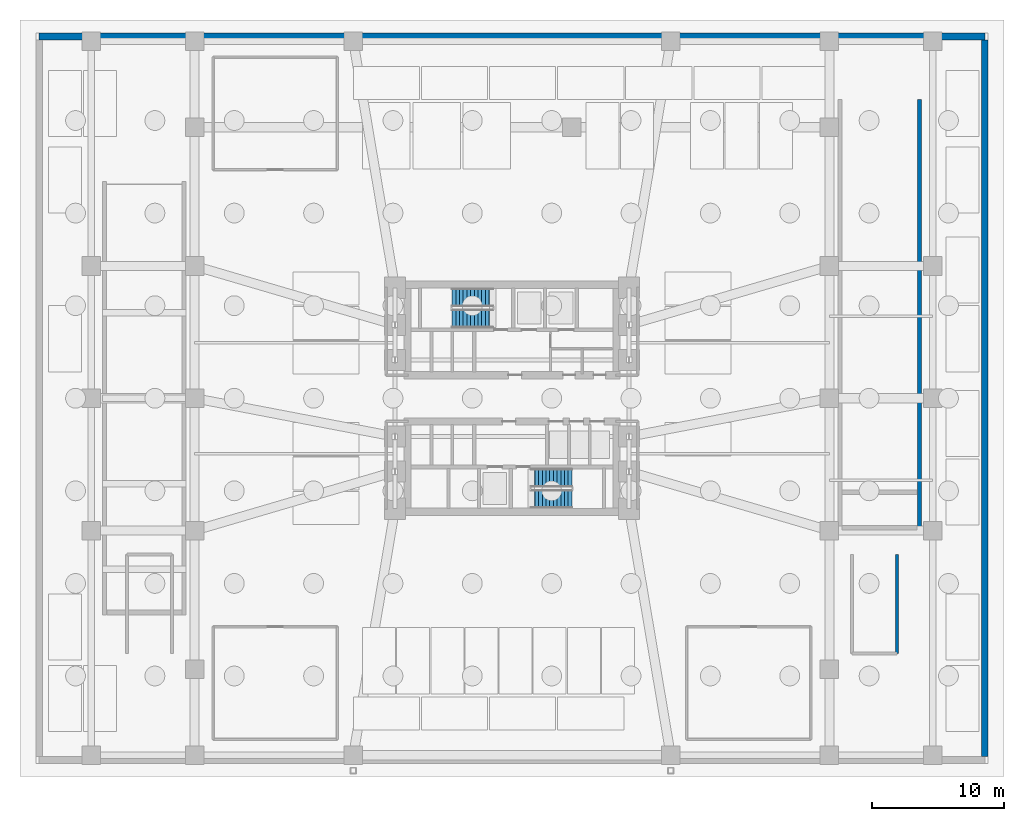
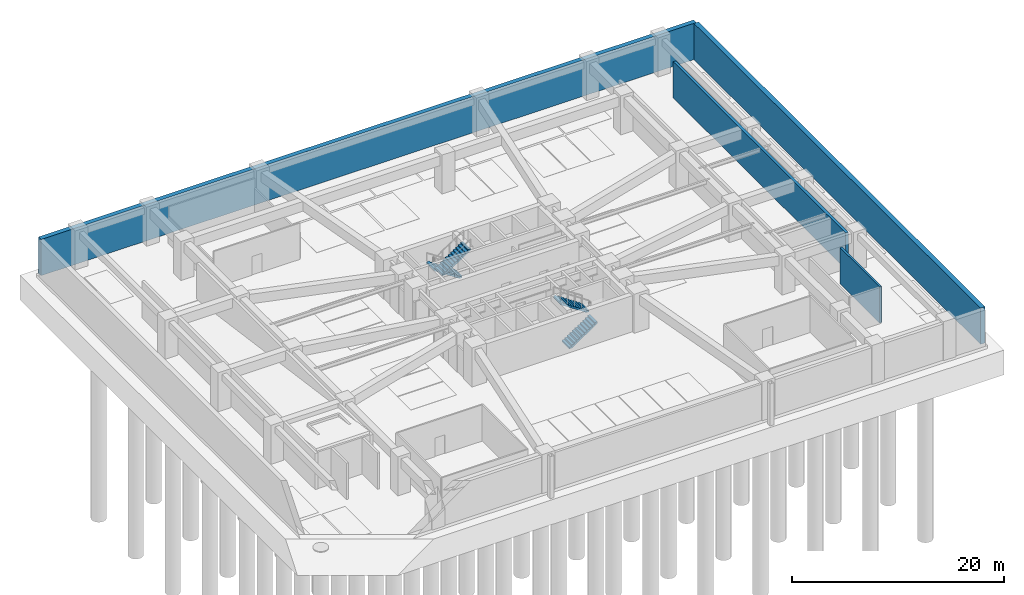
# One storey, part 8 of 14: 4 stair flights, 4 walls, 2 elements without a shape of their own.
"""IFC4 building model written with IfcOpenShell, lengths in metres."""

from ifc_helpers import new_model, si_unit, direction, frame, frame_2d, origin, place, context, subcontext, project, spatial, polyline, rectangle, outline, extrude, material, layer, layer_set, type_object, element, aggregate, save


model = new_model("IFC4")

# Units and contexts
model_context = context("Model", 3, precision=1e-05, world=origin(), true_north=direction((0.0, 1.0)))
body_context = subcontext(model_context, "Body", "Model", "MODEL_VIEW")
ifc_project = project(units=[si_unit("LENGTHUNIT", "METRE"), si_unit("AREAUNIT", "SQUARE_METRE"), si_unit("VOLUMEUNIT", "CUBIC_METRE"), si_unit("PLANEANGLEUNIT", "RADIAN"), si_unit("MASSUNIT", "GRAM", prefix="KILO")], contexts=[model_context])

# Site, building, storey
site_placement = place(None, origin())
site = spatial("IfcSite", under=ifc_project, at=site_placement, CompositionType="ELEMENT")
building_placement = place(site_placement, origin())
building = spatial("IfcBuilding", under=site, at=building_placement, Name="Solmarez Civic Tower", CompositionType="ELEMENT")
storey_placement = place(building_placement, frame((0.0, 0.0, -9.0)))
storey = spatial("IfcBuildingStorey", under=building, at=storey_placement, Name="B2", CompositionType="ELEMENT", Elevation=-9.0)

# Walls
ifc_material = material(Name="Concrete C50/60", Category="concrete")
ifc_layer_1 = layer(ifc_material, 0.5)
ifc_layer_set_1 = layer_set([ifc_layer_1], Name="Concrete C50/60")
wall_type_1 = type_object("IfcWallType", Name="WALL-RET-500", PredefinedType="USERDEFINED", material=ifc_layer_set_1)
wall_1_placement = place(storey_placement, frame((-35.75, 27.35009765625, 0.0), z_axis=(0.0, 0.0, 1.0), x_axis=(1.0, 0.0, 0.0)))
element("IfcWall", 1, at=wall_1_placement, inside=storey, type_object=wall_type_1, Name="B2 Perimeter Retaining Wall RW-N-B2", ObjectType="RETAININGWALL", PredefinedType="USERDEFINED", context=body_context, shape_type="SweptSolid", body=[
    extrude(rectangle(XDim=71.5, YDim=0.5, at=frame_2d((35.75, 0.0))), origin(), (0.0, 0.0, 1.0), 4.179931640625),
])
wall_2_placement = place(storey_placement, frame((35.75, 27.10009765625, 0.0), z_axis=(0.0, 0.0, 1.0), x_axis=(0.0, -1.0, 0.0)))
element("IfcWall", 2, at=wall_2_placement, inside=storey, type_object=wall_type_1, Name="B2 Perimeter Retaining Wall RW-E-B2", ObjectType="RETAININGWALL", PredefinedType="USERDEFINED", context=body_context, shape_type="SweptSolid", body=[
    extrude(rectangle(XDim=54.2001953125, YDim=0.5, at=frame_2d((27.10009765625, 0.0))), origin(), (0.0, 0.0, 1.0), 4.179931640625),
])
ifc_layer_2 = layer(ifc_material, 0.300048828125)
ifc_layer_set_2 = layer_set([ifc_layer_2], Name="Concrete C50/60")
wall_type_2 = type_object("IfcWallType", Name="WALL-STR-300", PredefinedType="SOLIDWALL", material=ifc_layer_set_2)
wall_3_placement = place(storey_placement, frame((29.10009765625, -19.300048828125, 0.0), z_axis=(0.0, 0.0, 1.0), x_axis=(0.0, 1.0, 0.0)))
element("IfcWall", 3, at=wall_3_placement, inside=storey, type_object=wall_type_2, Name="B2 Podium Stair Structural Wall STP2-E", PredefinedType="SOLIDWALL", context=body_context, shape_type="SweptSolid", body=[
    extrude(rectangle(XDim=7.5, YDim=0.219970703125, at=frame_2d((3.75, 0.0))), origin(), (0.0, 0.0, 1.0), 4.179931640625),
])
wall_4_placement = place(storey_placement, frame((30.800048828125, -10.0, 0.0), z_axis=(0.0, 0.0, 1.0), x_axis=(0.0, 1.0, 0.0)))
element("IfcWall", 4, at=wall_4_placement, inside=storey, type_object=wall_type_2, Name="B2 Vehicle Ramp Structural Wall SW-VR1-E-B2", PredefinedType="SOLIDWALL", context=body_context, shape_type="SweptSolid", body=[
    extrude(rectangle(XDim=32.60009765625, YDim=0.300048828125, at=frame_2d((16.300048828125, 0.0))), origin(), (0.0, 0.0, 1.0), 4.179931640625),
])

# Stair, stair flights
stair_type = type_object("IfcStairType", Name="STAIR-DOGLEG-140W-24R-1875", PredefinedType="HALF_TURN_STAIR", material=ifc_material)
stair_1_placement = place(storey_placement, origin())
stair_1 = element("IfcStair", 5, at=stair_1_placement, inside=storey, type_object=stair_type, Name="B2 North Core Protected Exit Stair ST-1", PredefinedType="HALF_TURN_STAIR")
stair_flight_type = type_object("IfcStairFlightType", Name="FLIGHT-DOGLEG-140W-12R-1875", PredefinedType="STRAIGHT", material=ifc_material)
stair_flight_1_placement = place(storey_placement, frame((-1.449951171875, 7.6201171875, 0.0), z_axis=(0.0, 0.0, 1.0), x_axis=(-1.0, 0.0, 0.0)))
stair_flight_1 = element("IfcStairFlight", 6, at=stair_flight_1_placement, type_object=stair_flight_type, Name="ST-1 flight 1", NumberOfRisers=12, NumberOfTreads=11, PredefinedType="STRAIGHT", RiserHeight=0.1875, TreadLength=0.28, context=body_context, shape_type="SweptSolid", body=[
    extrude(outline(polyline([(0.0, 0.0), (0.0, 0.1875), (0.280029296875, 0.1875), (0.280029296875, 0.375), (0.56005859375, 0.375), (0.56005859375, 0.5625), (0.840087890625, 0.5625), (0.840087890625, 0.75), (1.1201171875, 0.75), (1.1201171875, 0.9375), (1.39990234375, 0.9375), (1.39990234375, 1.125), (1.679931640625, 1.125), (1.679931640625, 1.3125), (1.9599609375, 1.3125), (1.9599609375, 1.5), (2.239990234375, 1.5), (2.239990234375, 1.6875), (2.52001953125, 1.6875), (2.52001953125, 1.875), (2.800048828125, 1.875), (2.800048828125, 2.0625), (3.080078125, 2.0625), (3.080078125, 2.25), (3.080078125, 1.8701171875), (0.287353515625, 0.0), (0.0, 0.0)])), frame((0.0, 0.699951171875, 0.0), z_axis=(0.0, -1.0, 0.0), x_axis=(1.0, 0.0, 0.0)), (0.0, 0.0, 1.0), 1.39990234375),
])
stair_flight_2_placement = place(storey_placement, frame((-4.530029296875, 6.02001953125, 2.25), z_axis=(0.0, 0.0, 1.0), x_axis=(1.0, 0.0, 0.0)))
stair_flight_2 = element("IfcStairFlight", 7, at=stair_flight_2_placement, type_object=stair_flight_type, Name="ST-1 flight 2", NumberOfRisers=12, NumberOfTreads=11, PredefinedType="STRAIGHT", RiserHeight=0.1875, TreadLength=0.28, context=body_context, shape_type="SweptSolid", body=[
    extrude(outline(polyline([(0.0, 0.0), (0.0, 0.1875), (0.280029296875, 0.1875), (0.280029296875, 0.375), (0.56005859375, 0.375), (0.56005859375, 0.5625), (0.840087890625, 0.5625), (0.840087890625, 0.75), (1.1201171875, 0.75), (1.1201171875, 0.9375), (1.39990234375, 0.9375), (1.39990234375, 1.125), (1.679931640625, 1.125), (1.679931640625, 1.3125), (1.9599609375, 1.3125), (1.9599609375, 1.5), (2.239990234375, 1.5), (2.239990234375, 1.6875), (2.52001953125, 1.6875), (2.52001953125, 1.875), (2.800048828125, 1.875), (2.800048828125, 2.0625), (3.080078125, 2.0625), (3.080078125, 2.25), (3.080078125, 1.8701171875), (0.287353515625, 0.0), (0.0, 0.0)])), frame((0.0, 0.699951171875, 0.0), z_axis=(0.0, -1.0, 0.0), x_axis=(1.0, 0.0, 0.0)), (0.0, 0.0, 1.0), 1.39990234375),
])
aggregate(stair_1, [stair_flight_1, stair_flight_2])

stair_2_placement = place(storey_placement, origin())
stair_2 = element("IfcStair", 8, at=stair_2_placement, inside=storey, type_object=stair_type, Name="B2 South Core Protected Exit Stair ST-2", PredefinedType="HALF_TURN_STAIR")
stair_flight_3_placement = place(storey_placement, frame((1.449951171875, -7.6201171875, 0.0), z_axis=(0.0, 0.0, 1.0), x_axis=(1.0, 0.0, 0.0)))
stair_flight_3 = element("IfcStairFlight", 9, at=stair_flight_3_placement, type_object=stair_flight_type, Name="ST-2 flight 1", NumberOfRisers=12, NumberOfTreads=11, PredefinedType="STRAIGHT", RiserHeight=0.1875, TreadLength=0.28, context=body_context, shape_type="SweptSolid", body=[
    extrude(outline(polyline([(0.0, 0.0), (0.0, 0.1875), (0.280029296875, 0.1875), (0.280029296875, 0.375), (0.56005859375, 0.375), (0.56005859375, 0.5625), (0.840087890625, 0.5625), (0.840087890625, 0.75), (1.1201171875, 0.75), (1.1201171875, 0.9375), (1.39990234375, 0.9375), (1.39990234375, 1.125), (1.679931640625, 1.125), (1.679931640625, 1.3125), (1.9599609375, 1.3125), (1.9599609375, 1.5), (2.239990234375, 1.5), (2.239990234375, 1.6875), (2.52001953125, 1.6875), (2.52001953125, 1.875), (2.800048828125, 1.875), (2.800048828125, 2.0625), (3.080078125, 2.0625), (3.080078125, 2.25), (3.080078125, 1.8701171875), (0.287353515625, 0.0), (0.0, 0.0)])), frame((0.0, 0.699951171875, 0.0), z_axis=(0.0, -1.0, 0.0), x_axis=(1.0, 0.0, 0.0)), (0.0, 0.0, 1.0), 1.39990234375),
])
stair_flight_4_placement = place(storey_placement, frame((4.530029296875, -6.02001953125, 2.25), z_axis=(0.0, 0.0, 1.0), x_axis=(-1.0, 0.0, 0.0)))
stair_flight_4 = element("IfcStairFlight", 10, at=stair_flight_4_placement, type_object=stair_flight_type, Name="ST-2 flight 2", NumberOfRisers=12, NumberOfTreads=11, PredefinedType="STRAIGHT", RiserHeight=0.1875, TreadLength=0.28, context=body_context, shape_type="SweptSolid", body=[
    extrude(outline(polyline([(0.0, 0.0), (0.0, 0.1875), (0.280029296875, 0.1875), (0.280029296875, 0.375), (0.56005859375, 0.375), (0.56005859375, 0.5625), (0.840087890625, 0.5625), (0.840087890625, 0.75), (1.1201171875, 0.75), (1.1201171875, 0.9375), (1.39990234375, 0.9375), (1.39990234375, 1.125), (1.679931640625, 1.125), (1.679931640625, 1.3125), (1.9599609375, 1.3125), (1.9599609375, 1.5), (2.239990234375, 1.5), (2.239990234375, 1.6875), (2.52001953125, 1.6875), (2.52001953125, 1.875), (2.800048828125, 1.875), (2.800048828125, 2.0625), (3.080078125, 2.0625), (3.080078125, 2.25), (3.080078125, 1.8701171875), (0.287353515625, 0.0), (0.0, 0.0)])), frame((0.0, 0.699951171875, 0.0), z_axis=(0.0, -1.0, 0.0), x_axis=(1.0, 0.0, 0.0)), (0.0, 0.0, 1.0), 1.39990234375),
])
aggregate(stair_2, [stair_flight_3, stair_flight_4])

save(model, "model.ifc")
